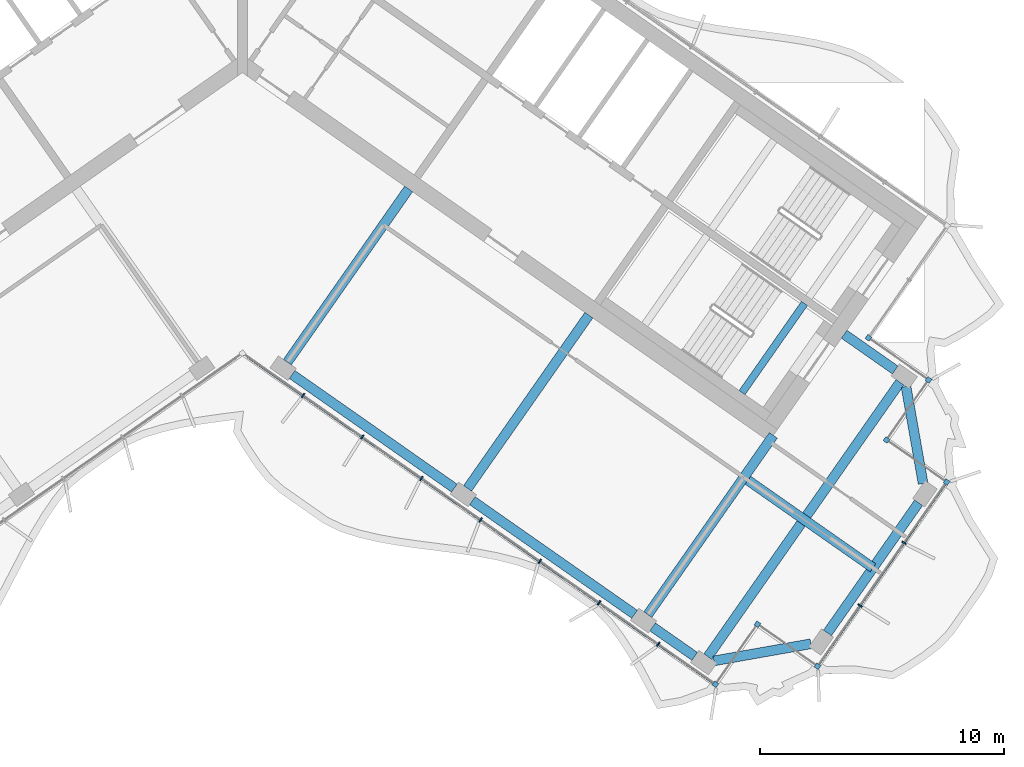
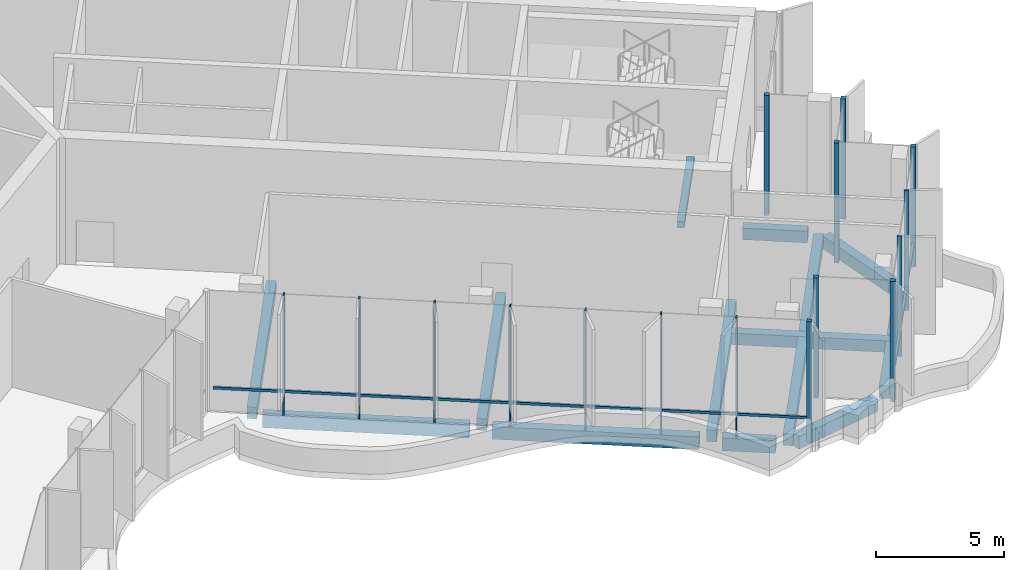
# One storey, part 4 of 18: 18 members, 13 beams, 2 elements without a shape of their own.
"""IFC4 building model written with IfcOpenShell, lengths in metres."""

from ifc_helpers import new_model, si_unit, direction, frame, origin, origin_2d, place, context, subcontext, project, spatial, rectangle, extrude, material, material_profile, profile_set, type_object, element, aggregate, save


model = new_model("IFC4")

# Units and contexts
model_context = context("Model", 3, precision=1e-05, world=origin(), true_north=direction((0.0, 1.0)))
body_context = subcontext(model_context, "Body", "Model", "MODEL_VIEW")
ifc_project = project(units=[si_unit("LENGTHUNIT", "METRE"), si_unit("AREAUNIT", "SQUARE_METRE"), si_unit("VOLUMEUNIT", "CUBIC_METRE"), si_unit("PLANEANGLEUNIT", "RADIAN"), si_unit("MASSUNIT", "GRAM", prefix="KILO")], contexts=[model_context])

# Site, building, storey
site_placement = place(None, origin())
site = spatial("IfcSite", under=ifc_project, at=site_placement, CompositionType="ELEMENT")
building_placement = place(site_placement, origin())
building = spatial("IfcBuilding", under=site, at=building_placement, Name="Tel Ilan Convention Tower", CompositionType="ELEMENT")
storey_placement = place(building_placement, frame((0.0, 0.0, 307.300048828125)))
storey = spatial("IfcBuildingStorey", under=building, at=storey_placement, Name="L73", CompositionType="ELEMENT", Elevation=307.300048828125)

# Beams
ifc_material_1 = material(Name="Concrete C40/50", Category="concrete")
ifc_material_profile_1 = material_profile(ifc_material_1, rectangle(XDim=0.39990234375, YDim=0.550048828125, at=origin_2d()), Name="RC 400x550")
ifc_profile_set_1 = profile_set([ifc_material_profile_1], Name="Concrete C40/50")
beam_type_1 = type_object("IfcBeamType", Name="Beam RC 400x550 Concrete C40/50", PredefinedType="BEAM", material=ifc_profile_set_1)
beam_1_placement = place(storey_placement, frame((26.700927734375, -13.385986328125, -0.554931640625), z_axis=(-0.819119449707, 0.573622983424, 0.0), x_axis=(-0.573622983424, -0.819119449707, 0.0)))
element("IfcBeam", 1, at=beam_1_placement, inside=storey, type_object=beam_type_1, Name="L73 beam E-E-BC-core", PredefinedType="BEAM", context=body_context, shape_type="SweptSolid", body=[
    extrude(rectangle(XDim=0.39990234375, YDim=0.550048828125, at=origin_2d()), origin(), (0.0, 0.0, 1.0), 2.5498046875),
])
for number, where, z_axis, x_axis, name in (
    (2, (1.83740234375, -13.06689453125, -0.554931640625), (0.573574099654, 0.819153680457, 0.0), (-0.819153680457, 0.573574099654, 0.0), "L73 beam E-E-F1-core"),
    (3, (9.209716796875, -18.229248046875, -0.554931640625), (0.573574099654, 0.819153680457, 0.0), (-0.819153680457, 0.573574099654, 0.0), "L73 beam E-E-F2-core"),
):
    element("IfcBeam", number, at=place(storey_placement, frame(where, z_axis=z_axis, x_axis=x_axis)), inside=storey, type_object=beam_type_1, Name=name, PredefinedType="BEAM", context=body_context, shape_type="SweptSolid", body=[
        extrude(rectangle(XDim=0.39990234375, YDim=0.550048828125, at=origin_2d()), origin(), (0.0, 0.0, 1.0), 8.64990234375),
    ])
beam_2_placement = place(storey_placement, frame((16.58203125, -23.391357421875, -0.554931640625), z_axis=(0.573584999642, 0.819146048141, 0.0), x_axis=(-0.819146048141, 0.573584999642, 0.0)))
element("IfcBeam", 4, at=beam_2_placement, inside=storey, type_object=beam_type_1, Name="L73 beam E-E-F3-core", PredefinedType="BEAM", context=body_context, shape_type="SweptSolid", body=[
    extrude(rectangle(XDim=0.39990234375, YDim=0.550048828125, at=origin_2d()), origin(), (0.0, 0.0, 1.0), 8.949951171875),
])
beam_3_placement = place(storey_placement, frame((20.6748046875, -17.89501953125, -0.554931640625), z_axis=(0.819171356584, -0.573548854548, 0.0), x_axis=(0.573548854548, 0.819171356584, 0.0)))
element("IfcBeam", 5, at=beam_3_placement, inside=storey, type_object=beam_type_1, Name="L73 beam E-core-end", PredefinedType="BEAM", context=body_context, shape_type="SweptSolid", body=[
    extrude(rectangle(XDim=0.39990234375, YDim=0.550048828125, at=origin_2d()), origin(), (0.0, 0.0, 1.0), 6.25),
])
beam_4_placement = place(storey_placement, frame((19.03955078125, -25.112060546875, -0.554931640625), z_axis=(0.57357117602, 0.819155727587, 0.0), x_axis=(-0.819155727587, 0.57357117602, 0.0)))
element("IfcBeam", 6, at=beam_4_placement, inside=storey, type_object=beam_type_1, Name="L73 beam E-E-FC-E-BC", PredefinedType="BEAM", context=body_context, shape_type="SweptSolid", body=[
    extrude(rectangle(XDim=0.39990234375, YDim=0.550048828125, at=origin_2d()), origin(), (0.0, 0.0, 1.0), 13.699951171875),
])
ifc_material_2 = material(Name="Concrete C40/50", Category="concrete")
ifc_material_profile_2 = material_profile(ifc_material_2, rectangle(XDim=0.39990234375, YDim=0.60009765625, at=origin_2d()), Name="RC 400x600")
ifc_profile_set_2 = profile_set([ifc_material_profile_2], Name="Concrete C40/50")
beam_type_2 = type_object("IfcBeamType", Name="Beam RC 400x600 Concrete C40/50", PredefinedType="BEAM", material=ifc_profile_set_2)
beam_5_placement = place(storey_placement, frame((2.033935546875, -13.57080078125, -0.580078125), z_axis=(0.81914553362, -0.573585734437, 0.0), x_axis=(0.573585734437, 0.81914553362, 0.0)))
element("IfcBeam", 7, at=beam_5_placement, inside=storey, type_object=beam_type_2, Name="L73 beam E-E-F1-E-F2", PredefinedType="BEAM", context=body_context, shape_type="SweptSolid", body=[
    extrude(rectangle(XDim=0.39990234375, YDim=0.60009765625, at=origin_2d()), origin(), (0.0, 0.0, 1.0), 8.099853515625),
])
beam_6_placement = place(storey_placement, frame((9.40625, -18.73291015625, -0.580078125), z_axis=(0.819155449703, -0.573571572885, 0.0), x_axis=(0.573571572885, 0.819155449703, 0.0)))
element("IfcBeam", 8, at=beam_6_placement, inside=storey, type_object=beam_type_2, Name="L73 beam E-E-F2-E-F3", PredefinedType="BEAM", context=body_context, shape_type="SweptSolid", body=[
    extrude(rectangle(XDim=0.39990234375, YDim=0.60009765625, at=origin_2d()), origin(), (0.0, 0.0, 1.0), 8.10009765625),
])
beam_7_placement = place(storey_placement, frame((16.778564453125, -23.895263671875, -0.580078125), z_axis=(0.819188222026, -0.573524765719, 0.0), x_axis=(0.573524765719, 0.819188222026, 0.0)))
element("IfcBeam", 9, at=beam_7_placement, inside=storey, type_object=beam_type_2, Name="L73 beam E-E-F3-E-FC", PredefinedType="BEAM", context=body_context, shape_type="SweptSolid", body=[
    extrude(rectangle(XDim=0.39990234375, YDim=0.60009765625, at=origin_2d()), origin(), (0.0, 0.0, 1.0), 2.099853515625),
])
beam_8_placement = place(storey_placement, frame((19.285400390625, -25.2841796875, -0.580078125), z_axis=(0.984804894423, 0.173664388751, 0.0), x_axis=(-0.173664388751, 0.984804894423, 0.0)))
element("IfcBeam", 10, at=beam_8_placement, inside=storey, type_object=beam_type_2, Name="L73 beam E-E-FC-E-E1", PredefinedType="BEAM", context=body_context, shape_type="SweptSolid", body=[
    extrude(rectangle(XDim=0.39990234375, YDim=0.60009765625, at=origin_2d()), origin(), (0.0, 0.0, 1.0), 4.030517578125),
])
beam_9_placement = place(storey_placement, frame((23.930419921875, -24.14208984375, -0.580078125), z_axis=(0.573563169494, 0.819161333682, 0.0), x_axis=(-0.819161333682, 0.573563169494, 0.0)))
element("IfcBeam", 11, at=beam_9_placement, inside=storey, type_object=beam_type_2, Name="L73 beam E-E-E1-E-E2", PredefinedType="BEAM", context=body_context, shape_type="SweptSolid", body=[
    extrude(rectangle(XDim=0.39990234375, YDim=0.60009765625, at=origin_2d()), origin(), (0.0, 0.0, 1.0), 6.500244140625),
])
beam_10_placement = place(storey_placement, frame((27.84326171875, -18.031005859375, -0.580078125), z_axis=(-0.173664388751, 0.984804894423, 0.0), x_axis=(-0.984804894423, -0.173664388751, 0.0)))
element("IfcBeam", 12, at=beam_10_placement, inside=storey, type_object=beam_type_2, Name="L73 beam E-E-E2-E-BC", PredefinedType="BEAM", context=body_context, shape_type="SweptSolid", body=[
    extrude(rectangle(XDim=0.39990234375, YDim=0.60009765625, at=origin_2d()), origin(), (0.0, 0.0, 1.0), 4.030517578125),
])

# Curtain wall, member
ifc_material_3 = material(Name="Aluminium, bronze anodised", Category="aluminium")
curtain_wall_type_1 = type_object("IfcCurtainWallType", Name="CW2 STICK CURTAIN WALL, SPANDREL PANELS", PredefinedType="NOTDEFINED", material=ifc_material_3)
curtain_wall_1_placement = place(storey_placement, origin())
curtain_wall_1 = element("IfcCurtainWall", 13, at=curtain_wall_1_placement, inside=storey, type_object=curtain_wall_type_1, Name="Curtain wall CW2-55.01", PredefinedType="NOTDEFINED")
ifc_material_4 = material(Name="Aluminium, bronze anodised", Category="aluminium")
ifc_material_profile_3 = material_profile(ifc_material_4, rectangle(XDim=0.199951171875, YDim=0.199951171875, at=origin_2d()), Name="CW CORNER MULLION 200x200")
ifc_profile_set_3 = profile_set([ifc_material_profile_3], Name="Aluminium, bronze anodised")
member_type_1 = type_object("IfcMemberType", Name="CW CORNER MULLION 200x200", PredefinedType="MULLION", material=ifc_profile_set_3)
member_1_placement = place(storey_placement, frame((25.607421875, -12.07080078125, 0.0), z_axis=(0.0, 0.0, 1.0), x_axis=(-0.819152044289, 0.573576436351, 0.0)))
member_1 = element("IfcMember", 14, at=member_1_placement, type_object=member_type_1, Name="Corner mullion", PredefinedType="MULLION", context=body_context, shape_type="SweptSolid", body=[
    extrude(rectangle(XDim=0.199951171875, YDim=0.199951171875, at=origin_2d()), origin(), (0.0, 0.0, 1.0), 5.719970703125),
])
aggregate(curtain_wall_1, [member_1])

# Curtain wall, members
ifc_material_5 = material(Name="Aluminium, bronze anodised", Category="aluminium")
curtain_wall_type_2 = type_object("IfcCurtainWallType", Name="CW5 STICK CURTAIN WALL, UPPER OFFICE LOW-IRON TINTED GLASS", PredefinedType="NOTDEFINED", material=ifc_material_5)
curtain_wall_2_placement = place(storey_placement, origin())
curtain_wall_2 = element("IfcCurtainWall", 15, at=curtain_wall_2_placement, inside=storey, type_object=curtain_wall_type_2, Name="Curtain wall CW5-55.02", PredefinedType="NOTDEFINED")
member_2_placement = place(storey_placement, frame((19.3466796875, -26.24267578125, 0.0), z_axis=(0.0, 0.0, 1.0), x_axis=(0.819152044289, -0.573576436351, 0.0)))
member_2 = element("IfcMember", 16, at=member_2_placement, type_object=member_type_1, Name="Corner mullion", PredefinedType="MULLION", context=body_context, shape_type="SweptSolid", body=[
    extrude(rectangle(XDim=0.199951171875, YDim=0.199951171875, at=origin_2d()), origin(), (0.0, 0.0, 1.0), 5.719970703125),
])
member_3_placement = place(storey_placement, frame((21.0673828125, -23.78515625, 0.0), z_axis=(0.0, 0.0, 1.0), x_axis=(0.573576436351, 0.819152044289, 0.0)))
member_3 = element("IfcMember", 17, at=member_3_placement, type_object=member_type_1, Name="Corner mullion", PredefinedType="MULLION", context=body_context, shape_type="SweptSolid", body=[
    extrude(rectangle(XDim=0.199951171875, YDim=0.199951171875, at=origin_2d()), origin(), (0.0, 0.0, 1.0), 5.719970703125),
])
member_4_placement = place(storey_placement, frame((23.52490234375, -25.505859375, 0.0), z_axis=(0.0, 0.0, 1.0), x_axis=(0.819152044289, -0.573576436351, 0.0)))
member_4 = element("IfcMember", 18, at=member_4_placement, type_object=member_type_1, Name="Corner mullion", PredefinedType="MULLION", context=body_context, shape_type="SweptSolid", body=[
    extrude(rectangle(XDim=0.199951171875, YDim=0.199951171875, at=origin_2d()), origin(), (0.0, 0.0, 1.0), 5.719970703125),
])
member_5_placement = place(storey_placement, frame((28.8017578125, -17.9697265625, 0.0), z_axis=(0.0, 0.0, 1.0), x_axis=(0.573576436351, 0.819152044289, 0.0)))
member_5 = element("IfcMember", 19, at=member_5_placement, type_object=member_type_1, Name="Corner mullion", PredefinedType="MULLION", context=body_context, shape_type="SweptSolid", body=[
    extrude(rectangle(XDim=0.199951171875, YDim=0.199951171875, at=origin_2d()), origin(), (0.0, 0.0, 1.0), 5.719970703125),
])
member_6_placement = place(storey_placement, frame((26.34423828125, -16.2490234375, 0.0), z_axis=(0.0, 0.0, 1.0), x_axis=(-0.819152044289, 0.573576436351, 0.0)))
member_6 = element("IfcMember", 20, at=member_6_placement, type_object=member_type_1, Name="Corner mullion", PredefinedType="MULLION", context=body_context, shape_type="SweptSolid", body=[
    extrude(rectangle(XDim=0.199951171875, YDim=0.199951171875, at=origin_2d()), origin(), (0.0, 0.0, 1.0), 5.719970703125),
])
member_7_placement = place(storey_placement, frame((28.06494140625, -13.79150390625, 0.0), z_axis=(0.0, 0.0, 1.0), x_axis=(0.573576436351, 0.819152044289, 0.0)))
member_7 = element("IfcMember", 21, at=member_7_placement, type_object=member_type_1, Name="Corner mullion", PredefinedType="MULLION", context=body_context, shape_type="SweptSolid", body=[
    extrude(rectangle(XDim=0.199951171875, YDim=0.199951171875, at=origin_2d()), origin(), (0.0, 0.0, 1.0), 5.719970703125),
])
ifc_material_6 = material(Name="Aluminium, bronze anodised", Category="aluminium")
ifc_material_profile_4 = material_profile(ifc_material_6, rectangle(XDim=0.06005859375, YDim=0.199951171875, at=origin_2d()), Name="CW MULLION 60x200")
ifc_profile_set_4 = profile_set([ifc_material_profile_4], Name="Aluminium, bronze anodised")
member_type_2 = type_object("IfcMemberType", Name="CW MULLION 60x200", PredefinedType="MULLION", material=ifc_profile_set_4)
member_8_placement = place(storey_placement, frame((2.478759765625, -14.431640625, 0.0), z_axis=(0.0, 0.0, 1.0), x_axis=(0.819152044289, -0.573576436351, 0.0)))
member_8 = element("IfcMember", 22, at=member_8_placement, type_object=member_type_2, Name="Mullion", PredefinedType="MULLION", context=body_context, shape_type="SweptSolid", body=[
    extrude(rectangle(XDim=0.06005859375, YDim=0.199951171875, at=origin_2d()), origin(), (0.0, 0.0, 1.0), 5.719970703125),
])
member_9_placement = place(storey_placement, frame((4.900146484375, -16.127197265625, 0.0), z_axis=(0.0, 0.0, 1.0), x_axis=(0.819152044289, -0.573576436351, 0.0)))
member_9 = element("IfcMember", 23, at=member_9_placement, type_object=member_type_2, Name="Mullion", PredefinedType="MULLION", context=body_context, shape_type="SweptSolid", body=[
    extrude(rectangle(XDim=0.06005859375, YDim=0.199951171875, at=origin_2d()), origin(), (0.0, 0.0, 1.0), 5.719970703125),
])
member_10_placement = place(storey_placement, frame((7.321533203125, -17.82275390625, 0.0), z_axis=(0.0, 0.0, 1.0), x_axis=(0.819152044289, -0.573576436351, 0.0)))
member_10 = element("IfcMember", 24, at=member_10_placement, type_object=member_type_2, Name="Mullion", PredefinedType="MULLION", context=body_context, shape_type="SweptSolid", body=[
    extrude(rectangle(XDim=0.06005859375, YDim=0.199951171875, at=origin_2d()), origin(), (0.0, 0.0, 1.0), 5.719970703125),
])
member_11_placement = place(storey_placement, frame((9.742919921875, -19.51806640625, 0.0), z_axis=(0.0, 0.0, 1.0), x_axis=(0.819152044289, -0.573576436351, 0.0)))
member_11 = element("IfcMember", 25, at=member_11_placement, type_object=member_type_2, Name="Mullion", PredefinedType="MULLION", context=body_context, shape_type="SweptSolid", body=[
    extrude(rectangle(XDim=0.06005859375, YDim=0.199951171875, at=origin_2d()), origin(), (0.0, 0.0, 1.0), 5.719970703125),
])
member_12_placement = place(storey_placement, frame((12.164306640625, -21.213623046875, 0.0), z_axis=(0.0, 0.0, 1.0), x_axis=(0.819152044289, -0.573576436351, 0.0)))
member_12 = element("IfcMember", 26, at=member_12_placement, type_object=member_type_2, Name="Mullion", PredefinedType="MULLION", context=body_context, shape_type="SweptSolid", body=[
    extrude(rectangle(XDim=0.06005859375, YDim=0.199951171875, at=origin_2d()), origin(), (0.0, 0.0, 1.0), 5.719970703125),
])
member_13_placement = place(storey_placement, frame((14.585693359375, -22.9091796875, 0.0), z_axis=(0.0, 0.0, 1.0), x_axis=(0.819152044289, -0.573576436351, 0.0)))
member_13 = element("IfcMember", 27, at=member_13_placement, type_object=member_type_2, Name="Mullion", PredefinedType="MULLION", context=body_context, shape_type="SweptSolid", body=[
    extrude(rectangle(XDim=0.06005859375, YDim=0.199951171875, at=origin_2d()), origin(), (0.0, 0.0, 1.0), 5.719970703125),
])
member_14_placement = place(storey_placement, frame((17.007080078125, -24.6044921875, 0.0), z_axis=(0.0, 0.0, 1.0), x_axis=(0.819152044289, -0.573576436351, 0.0)))
member_14 = element("IfcMember", 28, at=member_14_placement, type_object=member_type_2, Name="Mullion", PredefinedType="MULLION", context=body_context, shape_type="SweptSolid", body=[
    extrude(rectangle(XDim=0.06005859375, YDim=0.199951171875, at=origin_2d()), origin(), (0.0, 0.0, 1.0), 5.719970703125),
])
member_15_placement = place(storey_placement, frame((25.2646484375, -23.021240234375, 0.0), z_axis=(0.0, 0.0, 1.0), x_axis=(0.573576436351, 0.819152044289, 0.0)))
member_15 = element("IfcMember", 29, at=member_15_placement, type_object=member_type_2, Name="Mullion", PredefinedType="MULLION", context=body_context, shape_type="SweptSolid", body=[
    extrude(rectangle(XDim=0.06005859375, YDim=0.199951171875, at=origin_2d()), origin(), (0.0, 0.0, 1.0), 5.719970703125),
])
member_16_placement = place(storey_placement, frame((27.061767578125, -20.45458984375, 0.0), z_axis=(0.0, 0.0, 1.0), x_axis=(0.573576436351, 0.819152044289, 0.0)))
member_16 = element("IfcMember", 30, at=member_16_placement, type_object=member_type_2, Name="Mullion", PredefinedType="MULLION", context=body_context, shape_type="SweptSolid", body=[
    extrude(rectangle(XDim=0.06005859375, YDim=0.199951171875, at=origin_2d()), origin(), (0.0, 0.0, 1.0), 5.719970703125),
])
ifc_material_7 = material(Name="Aluminium, bronze anodised", Category="aluminium")
ifc_material_profile_5 = material_profile(ifc_material_7, rectangle(XDim=0.10009765625, YDim=0.1201171875, at=origin_2d()), Name="CW TRANSOM 100x120")
ifc_profile_set_5 = profile_set([ifc_material_profile_5], Name="Aluminium, bronze anodised")
member_type_3 = type_object("IfcMemberType", Name="CW TRANSOM 100x120", PredefinedType="USERDEFINED", material=ifc_profile_set_5)
member_17_placement = place(storey_placement, frame((0.22119140625, -12.850830078125, 1.099853515625), z_axis=(0.81915001336, -0.573579336808, 0.0), x_axis=(0.573579336808, 0.81915001336, 0.0)))
member_17 = element("IfcMember", 31, at=member_17_placement, type_object=member_type_3, Name="Transom", ObjectType="TRANSOM", PredefinedType="USERDEFINED", context=body_context, shape_type="SweptSolid", body=[
    extrude(rectangle(XDim=0.10009765625, YDim=0.1201171875, at=origin_2d()), origin(), (0.0, 0.0, 1.0), 23.247802734375),
])
member_18_placement = place(storey_placement, frame((23.58203125, -25.424072265625, 1.099853515625), z_axis=(0.573591598124, 0.819141427692, 0.0), x_axis=(-0.819141427692, 0.573591598124, 0.0)))
member_18 = element("IfcMember", 32, at=member_18_placement, type_object=member_type_3, Name="Transom", ObjectType="TRANSOM", PredefinedType="USERDEFINED", context=body_context, shape_type="SweptSolid", body=[
    extrude(rectangle(XDim=0.10009765625, YDim=0.1201171875, at=origin_2d()), origin(), (0.0, 0.0, 1.0), 9.0),
])
aggregate(curtain_wall_2, [member_8, member_9, member_10, member_11, member_12, member_13, member_14, member_2, member_17, member_3, member_4, member_15, member_16, member_5, member_18, member_6, member_7])

# Beam
ifc_material_8 = material(Name="Concrete C40/50", Category="concrete")
ifc_material_profile_6 = material_profile(ifc_material_8, rectangle(XDim=0.300048828125, YDim=0.300048828125, at=origin_2d()), Name="RC 300x300")
ifc_profile_set_6 = profile_set([ifc_material_profile_6], Name="Concrete C40/50")
beam_type_3 = type_object("IfcBeamType", Name="Landing Beam RC 300x300 Concrete C40/50", PredefinedType="BEAM", material=ifc_profile_set_6)
beam_11_placement = place(storey_placement, frame((22.989990234375, -10.665283203125, 2.64990234375), z_axis=(-0.573583844845, -0.819146856756, 0.0), x_axis=(0.819146856756, -0.573583844845, 0.0)))
element("IfcBeam", 33, at=beam_11_placement, inside=storey, type_object=beam_type_3, Name="S4 landing beam L73.2", PredefinedType="BEAM", context=body_context, shape_type="SweptSolid", body=[
    extrude(rectangle(XDim=0.300048828125, YDim=0.300048828125, at=origin_2d()), origin(), (0.0, 0.0, 1.0), 4.4501953125),
])

save(model, "model.ifc")
